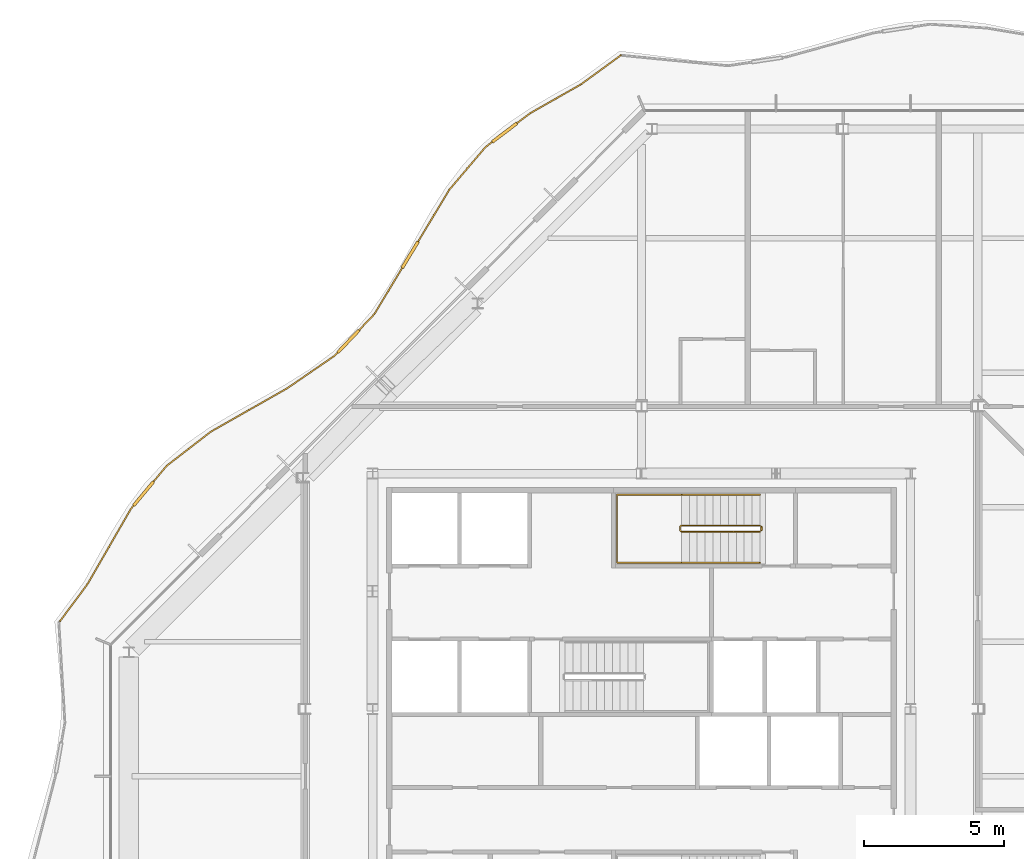
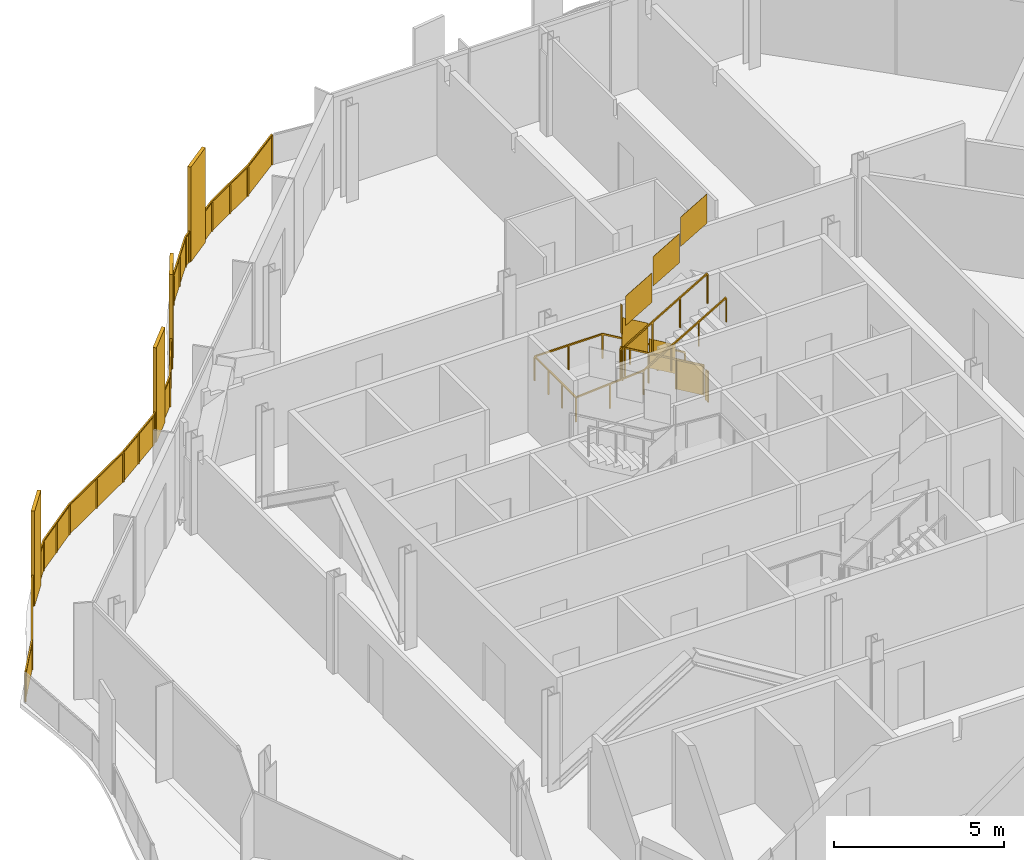
# One storey, part 15 of 16: 4 railings.
"""IFC4 building model written with IfcOpenShell, lengths in metres."""

from ifc_helpers import new_model, si_unit, direction, frame, origin, origin_2d, place, context, subcontext, project, spatial, polyline, rectangle, outline, extrude, material, type_object, element, save


model = new_model("IFC4")

# Units and contexts
model_context = context("Model", 3, precision=1e-05, world=origin(), true_north=direction((0.0, 1.0)))
body_context = subcontext(model_context, "Body", "Model", "MODEL_VIEW")
ifc_project = project(units=[si_unit("LENGTHUNIT", "METRE"), si_unit("AREAUNIT", "SQUARE_METRE"), si_unit("VOLUMEUNIT", "CUBIC_METRE"), si_unit("PLANEANGLEUNIT", "RADIAN"), si_unit("MASSUNIT", "GRAM", prefix="KILO")], contexts=[model_context])

# Site, building, storey
site_placement = place(None, origin())
site = spatial("IfcSite", under=ifc_project, at=site_placement, CompositionType="ELEMENT")
building_placement = place(site_placement, origin())
building = spatial("IfcBuilding", under=site, at=building_placement, Name="Cairn Pilgrim Tower", CompositionType="ELEMENT")
storey_placement = place(building_placement, frame((0.0, 0.0, 285.0)))
storey = spatial("IfcBuildingStorey", under=building, at=storey_placement, Name="L73", CompositionType="ELEMENT", Elevation=285.0)

# Railings
ifc_material_1 = material(Name="Bronze anodised aluminium rail, posts and fin screens with laminated glass infill", Category="aluminium")
railing_type_1 = type_object("IfcRailingType", Name="BALCONY GUARD WITH FIN SCREENS", PredefinedType="GUARDRAIL", material=ifc_material_1)
railing_1_placement = place(storey_placement, frame((6.46142578125, 25.730224609375, 0.0)))
element("IfcRailing", 1, at=railing_1_placement, inside=storey, type_object=railing_type_1, Name="Balcony guard BGF-6 with fin screens", PredefinedType="GUARDRAIL", context=body_context, shape_type="SweptSolid", body=[
    extrude(rectangle(XDim=0.050048828125, YDim=0.050048828125, at=origin_2d()), frame((0.0, 0.0, 1.0751953125), z_axis=(-0.808099705315, -0.58904572511, 0.0), x_axis=(0.58904572511, -0.808099705315, 0.0)), (0.0, 0.0, 1.0), 1.759765625),
    extrude(rectangle(XDim=0.050048828125, YDim=0.050048828125, at=origin_2d()), frame((-1.422119140625, -1.03662109375, 1.0751953125), z_axis=(-0.869573128671, -0.49380418578, 0.0), x_axis=(0.49380418578, -0.869573128671, 0.0)), (0.0, 0.0, 1.0), 2.0849609375),
    extrude(rectangle(XDim=1.10009765625, YDim=0.110107421875, at=origin_2d()), frame((-4.150390625, -2.76025390625, 0.0), z_axis=(0.0, 0.0, 1.0), x_axis=(-0.796786351121, -0.60426112788, 0.0)), (0.0, 0.0, 1.0), 3.39990234375),
    extrude(rectangle(XDim=0.050048828125, YDim=0.050048828125, at=origin_2d()), frame((-3.235107421875, -2.066162109375, 1.0751953125), z_axis=(-0.796786351121, -0.60426112788, 0.0), x_axis=(0.60426112788, -0.796786351121, 0.0)), (0.0, 0.0, 1.0), 0.5986328125),
    extrude(rectangle(XDim=0.050048828125, YDim=0.050048828125, at=origin_2d()), frame((-4.588623046875, -3.092529296875, 1.0751953125), z_axis=(-0.796786351121, -0.60426112788, 0.0), x_axis=(0.60426112788, -0.796786351121, 0.0)), (0.0, 0.0, 1.0), 0.304931640625),
    extrude(rectangle(XDim=0.050048828125, YDim=0.050048828125, at=origin_2d()), frame((-4.83154296875, -3.27685546875, 1.0751953125), z_axis=(-0.646882321654, -0.762589838597, 0.0), x_axis=(0.762589838597, -0.646882321654, 0.0)), (0.0, 0.0, 1.0), 1.98974609375),
    extrude(rectangle(XDim=1.10009765625, YDim=0.110107421875, at=origin_2d()), frame((-7.520263671875, -7.11865234375, 0.0), z_axis=(0.0, 0.0, 1.0), x_axis=(-0.516343540412, -0.856381543633, 0.0)), (0.0, 0.0, 1.0), 3.39990234375),
    extrude(rectangle(XDim=0.050048828125, YDim=0.050048828125, at=origin_2d()), frame((-6.11865234375, -4.794189453125, 1.0751953125), z_axis=(-0.516343540412, -0.856381543633, 0.0), x_axis=(0.856381543633, -0.516343540412, 0.0)), (0.0, 0.0, 1.0), 2.164306640625),
    extrude(rectangle(XDim=0.050048828125, YDim=0.050048828125, at=origin_2d()), frame((-7.80419921875, -7.589599609375, 1.0751953125), z_axis=(-0.516343540412, -0.856381543633, 0.0), x_axis=(0.856381543633, -0.516343540412, 0.0)), (0.0, 0.0, 1.0), 1.920166015625),
    extrude(rectangle(XDim=1.10009765625, YDim=0.110107421875, at=origin_2d()), frame((-9.72216796875, -10.207763671875, 0.0), z_axis=(0.0, 0.0, 1.0), x_axis=(-0.689392677277, -0.724387835704, 0.0)), (0.0, 0.0, 1.0), 3.39990234375),
    extrude(rectangle(XDim=0.050048828125, YDim=0.050048828125, at=origin_2d()), frame((-8.795654296875, -9.234130859375, 1.0751953125), z_axis=(-0.689392677277, -0.724387835704, 0.0), x_axis=(0.724387835704, -0.689392677277, 0.0)), (0.0, 0.0, 1.0), 0.7939453125),
    extrude(rectangle(XDim=0.050048828125, YDim=0.050048828125, at=origin_2d()), frame((-10.101318359375, -10.606201171875, 1.0751953125), z_axis=(-0.689392677277, -0.724387835704, 0.0), x_axis=(0.724387835704, -0.689392677277, 0.0)), (0.0, 0.0, 1.0), 0.150146484375),
    extrude(rectangle(XDim=0.050048828125, YDim=0.050048828125, at=origin_2d()), frame((-10.204833984375, -10.71484375, 1.0751953125), z_axis=(-0.824231350321, -0.566253195265, 0.0), x_axis=(0.566253195265, -0.824231350321, 0.0)), (0.0, 0.0, 1.0), 2.06787109375),
    extrude(rectangle(XDim=0.050048828125, YDim=0.050048828125, at=origin_2d()), frame((-11.9091796875, -11.8857421875, 1.0751953125), z_axis=(-0.869571687654, -0.493806723355, 0.0), x_axis=(0.493806723355, -0.869571687654, 0.0)), (0.0, 0.0, 1.0), 3.125244140625),
    extrude(rectangle(XDim=0.050048828125, YDim=0.050048828125, at=origin_2d()), frame((-14.626708984375, -13.428955078125, 1.0751953125), z_axis=(-0.791352088392, -0.61136067276, 0.0), x_axis=(0.61136067276, -0.791352088392, 0.0)), (0.0, 0.0, 1.0), 2.000732421875),
    extrude(rectangle(XDim=1.10009765625, YDim=0.110107421875, at=origin_2d()), frame((-17.03515625, -15.644287109375, 0.0), z_axis=(0.0, 0.0, 1.0), x_axis=(-0.639508559675, -0.768783976226, 0.0)), (0.0, 0.0, 1.0), 3.39990234375),
    extrude(rectangle(XDim=0.050048828125, YDim=0.050048828125, at=origin_2d()), frame((-16.2099609375, -14.652099609375, 1.0751953125), z_axis=(-0.639508559675, -0.768783976226, 0.0), x_axis=(0.768783976226, -0.639508559675, 0.0)), (0.0, 0.0, 1.0), 0.740478515625),
    extrude(rectangle(XDim=0.050048828125, YDim=0.050048828125, at=origin_2d()), frame((-17.386962890625, -16.067138671875, 1.0751953125), z_axis=(-0.639508559675, -0.768783976226, 0.0), x_axis=(0.768783976226, -0.639508559675, 0.0)), (0.0, 0.0, 1.0), 0.14990234375),
    extrude(rectangle(XDim=0.050048828125, YDim=0.050048828125, at=origin_2d()), frame((-17.48291015625, -16.182373046875, 1.0751953125), z_axis=(-0.499573407436, -0.866271557067, 0.0), x_axis=(0.866271557067, -0.499573407436, 0.0)), (0.0, 0.0, 1.0), 3.119873046875),
    extrude(rectangle(XDim=0.050048828125, YDim=0.050048828125, at=origin_2d()), frame((-19.04150390625, -18.885009765625, 1.0751953125), z_axis=(-0.597095284187, -0.802170319572, 0.0), x_axis=(0.802170319572, -0.597095284187, 0.0)), (0.0, 0.0, 1.0), 1.642822265625),
    extrude(rectangle(XDim=0.050048828125, YDim=0.050048828125, at=origin_2d()), origin(), (0.0, 0.0, 1.0), 1.050048828125),
    extrude(rectangle(XDim=0.050048828125, YDim=0.050048828125, at=origin_2d()), frame((-1.422119140625, -1.03662109375, 0.0)), (0.0, 0.0, 1.0), 1.050048828125),
    extrude(rectangle(XDim=0.050048828125, YDim=0.050048828125, at=origin_2d()), frame((-2.32861328125, -1.55126953125, 0.0)), (0.0, 0.0, 1.0), 1.050048828125),
    extrude(rectangle(XDim=0.050048828125, YDim=0.050048828125, at=origin_2d()), frame((-3.235107421875, -2.066162109375, 0.0)), (0.0, 0.0, 1.0), 1.050048828125),
    extrude(rectangle(XDim=0.050048828125, YDim=0.050048828125, at=origin_2d()), frame((-3.692138671875, -2.412841796875, 0.0)), (0.0, 0.0, 1.0), 1.050048828125),
    extrude(rectangle(XDim=0.050048828125, YDim=0.050048828125, at=origin_2d()), frame((-4.6083984375, -3.107666015625, 0.0)), (0.0, 0.0, 1.0), 1.050048828125),
    extrude(rectangle(XDim=0.050048828125, YDim=0.050048828125, at=origin_2d()), frame((-4.83154296875, -3.27685546875, 0.0)), (0.0, 0.0, 1.0), 1.050048828125),
    extrude(rectangle(XDim=0.050048828125, YDim=0.050048828125, at=origin_2d()), frame((-5.47509765625, -4.03564453125, 0.0)), (0.0, 0.0, 1.0), 1.050048828125),
    extrude(rectangle(XDim=0.050048828125, YDim=0.050048828125, at=origin_2d()), frame((-6.11865234375, -4.794189453125, 0.0)), (0.0, 0.0, 1.0), 1.050048828125),
    extrude(rectangle(XDim=0.050048828125, YDim=0.050048828125, at=origin_2d()), frame((-6.6708984375, -5.710205078125, 0.0)), (0.0, 0.0, 1.0), 1.050048828125),
    extrude(rectangle(XDim=0.050048828125, YDim=0.050048828125, at=origin_2d()), frame((-7.223388671875, -6.626220703125, 0.0)), (0.0, 0.0, 1.0), 1.050048828125),
    extrude(rectangle(XDim=0.050048828125, YDim=0.050048828125, at=origin_2d()), frame((-7.817138671875, -7.611083984375, 0.0)), (0.0, 0.0, 1.0), 1.050048828125),
    extrude(rectangle(XDim=0.050048828125, YDim=0.050048828125, at=origin_2d()), frame((-8.306396484375, -8.422607421875, 0.0)), (0.0, 0.0, 1.0), 1.050048828125),
    extrude(rectangle(XDim=0.050048828125, YDim=0.050048828125, at=origin_2d()), frame((-8.795654296875, -9.234130859375, 0.0)), (0.0, 0.0, 1.0), 1.050048828125),
    extrude(rectangle(XDim=0.050048828125, YDim=0.050048828125, at=origin_2d()), frame((-9.32568359375, -9.791259765625, 0.0)), (0.0, 0.0, 1.0), 1.050048828125),
    extrude(rectangle(XDim=0.050048828125, YDim=0.050048828125, at=origin_2d()), frame((-10.11865234375, -10.624267578125, 0.0)), (0.0, 0.0, 1.0), 1.050048828125),
    extrude(rectangle(XDim=0.050048828125, YDim=0.050048828125, at=origin_2d()), frame((-10.204833984375, -10.71484375, 0.0)), (0.0, 0.0, 1.0), 1.050048828125),
    extrude(rectangle(XDim=0.050048828125, YDim=0.050048828125, at=origin_2d()), frame((-11.05712890625, -11.30029296875, 0.0)), (0.0, 0.0, 1.0), 1.050048828125),
    extrude(rectangle(XDim=0.050048828125, YDim=0.050048828125, at=origin_2d()), frame((-11.9091796875, -11.8857421875, 0.0)), (0.0, 0.0, 1.0), 1.050048828125),
    extrude(rectangle(XDim=0.050048828125, YDim=0.050048828125, at=origin_2d()), frame((-13.26806640625, -12.6572265625, 0.0)), (0.0, 0.0, 1.0), 1.050048828125),
    extrude(rectangle(XDim=0.050048828125, YDim=0.050048828125, at=origin_2d()), frame((-14.626708984375, -13.428955078125, 0.0)), (0.0, 0.0, 1.0), 1.050048828125),
    extrude(rectangle(XDim=0.050048828125, YDim=0.050048828125, at=origin_2d()), frame((-15.41845703125, -14.04052734375, 0.0)), (0.0, 0.0, 1.0), 1.050048828125),
    extrude(rectangle(XDim=0.050048828125, YDim=0.050048828125, at=origin_2d()), frame((-16.2099609375, -14.652099609375, 0.0)), (0.0, 0.0, 1.0), 1.050048828125),
    extrude(rectangle(XDim=0.050048828125, YDim=0.050048828125, at=origin_2d()), frame((-16.66748046875, -15.2021484375, 0.0)), (0.0, 0.0, 1.0), 1.050048828125),
    extrude(rectangle(XDim=0.050048828125, YDim=0.050048828125, at=origin_2d()), frame((-17.403076171875, -16.086181640625, 0.0)), (0.0, 0.0, 1.0), 1.050048828125),
    extrude(rectangle(XDim=0.050048828125, YDim=0.050048828125, at=origin_2d()), frame((-17.48291015625, -16.182373046875, 0.0)), (0.0, 0.0, 1.0), 1.050048828125),
    extrude(rectangle(XDim=0.050048828125, YDim=0.050048828125, at=origin_2d()), frame((-18.26220703125, -17.53369140625, 0.0)), (0.0, 0.0, 1.0), 1.050048828125),
    extrude(rectangle(XDim=0.050048828125, YDim=0.050048828125, at=origin_2d()), frame((-19.04150390625, -18.885009765625, 0.0)), (0.0, 0.0, 1.0), 1.050048828125),
    extrude(rectangle(XDim=0.050048828125, YDim=0.050048828125, at=origin_2d()), frame((-20.0224609375, -20.202880859375, 0.0)), (0.0, 0.0, 1.0), 1.050048828125),
    extrude(outline(polyline([(0.02490234375, 0.0), (1.73486328125, 0.0), (1.73486328125, 1.050048828125), (0.02490234375, 1.050048828125), (0.02490234375, 0.0)])), frame((0.00341796875, -0.0048828125, 0.0), z_axis=(-0.58904572511, 0.808099705315, 0.0), x_axis=(-0.808099705315, -0.58904572511, 0.0)), (0.0, 0.0, 1.0), 0.011962890625),
    extrude(outline(polyline([(0.02490234375, 0.0), (1.017333984375, 0.0), (1.017333984375, 1.050048828125), (0.02490234375, 1.050048828125), (0.02490234375, 0.0)])), frame((-1.419189453125, -1.041748046875, 0.0), z_axis=(-0.49380418578, 0.869573128671, 0.0), x_axis=(-0.869573128671, -0.49380418578, 0.0)), (0.0, 0.0, 1.0), 0.011962890625),
    extrude(outline(polyline([(0.02490234375, 0.0), (1.017333984375, 0.0), (1.017333984375, 1.050048828125), (0.02490234375, 1.050048828125), (0.02490234375, 0.0)])), frame((-2.32568359375, -1.556640625, 0.0), z_axis=(-0.49380418578, 0.869573128671, 0.0), x_axis=(-0.869573128671, -0.49380418578, 0.0)), (0.0, 0.0, 1.0), 0.011962890625),
    extrude(outline(polyline([(0.02490234375, 0.0), (0.548583984375, 0.0), (0.548583984375, 1.050048828125), (0.02490234375, 1.050048828125), (0.02490234375, 0.0)])), frame((-3.2314453125, -2.071044921875, 0.0), z_axis=(-0.60426112788, 0.796786351121, 0.0), x_axis=(-0.796786351121, -0.60426112788, 0.0)), (0.0, 0.0, 1.0), 0.011962890625),
    extrude(outline(polyline([(0.02490234375, 0.0), (0.2548828125, 0.0), (0.2548828125, 1.050048828125), (0.02490234375, 1.050048828125), (0.02490234375, 0.0)])), frame((-4.60498046875, -3.112548828125, 0.0), z_axis=(-0.60426112788, 0.796786351121, 0.0), x_axis=(-0.796786351121, -0.60426112788, 0.0)), (0.0, 0.0, 1.0), 0.011962890625),
    extrude(outline(polyline([(0.02490234375, 0.0), (0.9697265625, 0.0), (0.9697265625, 1.050048828125), (0.02490234375, 1.050048828125), (0.02490234375, 0.0)])), frame((-4.826904296875, -3.28076171875, 0.0), z_axis=(-0.762589838597, 0.646882321654, 0.0), x_axis=(-0.646882321654, -0.762589838597, 0.0)), (0.0, 0.0, 1.0), 0.011962890625),
    extrude(outline(polyline([(0.02490234375, 0.0), (0.9697265625, 0.0), (0.9697265625, 1.050048828125), (0.02490234375, 1.050048828125), (0.02490234375, 0.0)])), frame((-5.470458984375, -4.039306640625, 0.0), z_axis=(-0.762589838597, 0.646882321654, 0.0), x_axis=(-0.646882321654, -0.762589838597, 0.0)), (0.0, 0.0, 1.0), 0.011962890625),
    extrude(outline(polyline([(0.02490234375, 0.0), (1.044677734375, 0.0), (1.044677734375, 1.050048828125), (0.02490234375, 1.050048828125), (0.02490234375, 0.0)])), frame((-6.113525390625, -4.79736328125, 0.0), z_axis=(-0.856381543633, 0.516343540412, 0.0), x_axis=(-0.516343540412, -0.856381543633, 0.0)), (0.0, 0.0, 1.0), 0.011962890625),
    extrude(outline(polyline([(0.02490234375, 0.0), (1.044677734375, 0.0), (1.044677734375, 1.050048828125), (0.02490234375, 1.050048828125), (0.02490234375, 0.0)])), frame((-6.665771484375, -5.71337890625, 0.0), z_axis=(-0.856381543633, 0.516343540412, 0.0), x_axis=(-0.516343540412, -0.856381543633, 0.0)), (0.0, 0.0, 1.0), 0.011962890625),
    extrude(outline(polyline([(0.02490234375, 0.0), (0.922607421875, 0.0), (0.922607421875, 1.050048828125), (0.02490234375, 1.050048828125), (0.02490234375, 0.0)])), frame((-7.81201171875, -7.6142578125, 0.0), z_axis=(-0.856381543633, 0.516343540412, 0.0), x_axis=(-0.516343540412, -0.856381543633, 0.0)), (0.0, 0.0, 1.0), 0.011962890625),
    extrude(outline(polyline([(0.02490234375, 0.0), (0.922607421875, 0.0), (0.922607421875, 1.050048828125), (0.02490234375, 1.050048828125), (0.02490234375, 0.0)])), frame((-8.30126953125, -8.42578125, 0.0), z_axis=(-0.856381543633, 0.516343540412, 0.0), x_axis=(-0.516343540412, -0.856381543633, 0.0)), (0.0, 0.0, 1.0), 0.011962890625),
    extrude(outline(polyline([(0.02490234375, 0.0), (0.743896484375, 0.0), (0.743896484375, 1.050048828125), (0.02490234375, 1.050048828125), (0.02490234375, 0.0)])), frame((-8.791259765625, -9.23828125, 0.0), z_axis=(-0.724387835704, 0.689392677277, 0.0), x_axis=(-0.689392677277, -0.724387835704, 0.0)), (0.0, 0.0, 1.0), 0.011962890625),
    extrude(outline(polyline([(0.02490234375, 0.0), (0.10009765625, 0.0), (0.10009765625, 1.050048828125), (0.02490234375, 1.050048828125), (0.02490234375, 0.0)])), frame((-10.1142578125, -10.62841796875, 0.0), z_axis=(-0.724387835704, 0.689392677277, 0.0), x_axis=(-0.689392677277, -0.724387835704, 0.0)), (0.0, 0.0, 1.0), 0.011962890625),
    extrude(outline(polyline([(0.02490234375, 0.0), (1.0087890625, 0.0), (1.0087890625, 1.050048828125), (0.02490234375, 1.050048828125), (0.02490234375, 0.0)])), frame((-10.201416015625, -10.7197265625, 0.0), z_axis=(-0.566253195265, 0.824231350321, 0.0), x_axis=(-0.824231350321, -0.566253195265, 0.0)), (0.0, 0.0, 1.0), 0.011962890625),
    extrude(outline(polyline([(0.02490234375, 0.0), (1.0087890625, 0.0), (1.0087890625, 1.050048828125), (0.02490234375, 1.050048828125), (0.02490234375, 0.0)])), frame((-11.0537109375, -11.30517578125, 0.0), z_axis=(-0.566253195265, 0.824231350321, 0.0), x_axis=(-0.824231350321, -0.566253195265, 0.0)), (0.0, 0.0, 1.0), 0.011962890625),
    extrude(outline(polyline([(0.02490234375, 0.0), (1.53759765625, 0.0), (1.53759765625, 1.050048828125), (0.02490234375, 1.050048828125), (0.02490234375, 0.0)])), frame((-11.90625, -11.890869140625, 0.0), z_axis=(-0.493806723355, 0.869571687654, 0.0), x_axis=(-0.869571687654, -0.493806723355, 0.0)), (0.0, 0.0, 1.0), 0.011962890625),
    extrude(outline(polyline([(0.02490234375, 0.0), (1.53759765625, 0.0), (1.53759765625, 1.050048828125), (0.02490234375, 1.050048828125), (0.02490234375, 0.0)])), frame((-13.264892578125, -12.66259765625, 0.0), z_axis=(-0.493806723355, 0.869571687654, 0.0), x_axis=(-0.869571687654, -0.493806723355, 0.0)), (0.0, 0.0, 1.0), 0.011962890625),
    extrude(outline(polyline([(0.02490234375, 0.0), (0.975341796875, 0.0), (0.975341796875, 1.050048828125), (0.02490234375, 1.050048828125), (0.02490234375, 0.0)])), frame((-14.623046875, -13.43359375, 0.0), z_axis=(-0.61136067276, 0.791352088392, 0.0), x_axis=(-0.791352088392, -0.61136067276, 0.0)), (0.0, 0.0, 1.0), 0.011962890625),
    extrude(outline(polyline([(0.02490234375, 0.0), (0.975341796875, 0.0), (0.975341796875, 1.050048828125), (0.02490234375, 1.050048828125), (0.02490234375, 0.0)])), frame((-15.414794921875, -14.045166015625, 0.0), z_axis=(-0.61136067276, 0.791352088392, 0.0), x_axis=(-0.791352088392, -0.61136067276, 0.0)), (0.0, 0.0, 1.0), 0.011962890625),
    extrude(outline(polyline([(0.02490234375, 0.0), (0.6904296875, 0.0), (0.6904296875, 1.050048828125), (0.02490234375, 1.050048828125), (0.02490234375, 0.0)])), frame((-16.205322265625, -14.656005859375, 0.0), z_axis=(-0.768783976226, 0.639508559675, 0.0), x_axis=(-0.639508559675, -0.768783976226, 0.0)), (0.0, 0.0, 1.0), 0.011962890625),
    extrude(outline(polyline([(0.02490234375, 0.0), (0.099853515625, 0.0), (0.099853515625, 1.050048828125), (0.02490234375, 1.050048828125), (0.02490234375, 0.0)])), frame((-17.3984375, -16.090087890625, 0.0), z_axis=(-0.768783976226, 0.639508559675, 0.0), x_axis=(-0.639508559675, -0.768783976226, 0.0)), (0.0, 0.0, 1.0), 0.011962890625),
    extrude(outline(polyline([(0.02490234375, 0.0), (1.534912109375, 0.0), (1.534912109375, 1.050048828125), (0.02490234375, 1.050048828125), (0.02490234375, 0.0)])), frame((-17.477783203125, -16.185302734375, 0.0), z_axis=(-0.866271557067, 0.499573407436, 0.0), x_axis=(-0.499573407436, -0.866271557067, 0.0)), (0.0, 0.0, 1.0), 0.011962890625),
    extrude(outline(polyline([(0.02490234375, 0.0), (1.534912109375, 0.0), (1.534912109375, 1.050048828125), (0.02490234375, 1.050048828125), (0.02490234375, 0.0)])), frame((-18.257080078125, -17.53662109375, 0.0), z_axis=(-0.866271557067, 0.499573407436, 0.0), x_axis=(-0.499573407436, -0.866271557067, 0.0)), (0.0, 0.0, 1.0), 0.011962890625),
    extrude(outline(polyline([(0.02490234375, 0.0), (1.617919921875, 0.0), (1.617919921875, 1.050048828125), (0.02490234375, 1.050048828125), (0.02490234375, 0.0)])), frame((-19.03662109375, -18.888671875, 0.0), z_axis=(-0.802170319572, 0.597095284187, 0.0), x_axis=(-0.597095284187, -0.802170319572, 0.0)), (0.0, 0.0, 1.0), 0.011962890625),
])
ifc_material_2 = material(Name="Painted steel", Category="steel")
railing_type_2 = type_object("IfcRailingType", Name="STAIR GUARD 1100", PredefinedType="GUARDRAIL", material=ifc_material_2)
railing_2_placement = place(storey_placement, frame((11.425048828125, 8.949951171875, 0.16357421875)))
element("IfcRailing", 2, at=railing_2_placement, inside=storey, type_object=railing_type_2, Name="L73 ST-C stair guard 1", PredefinedType="GUARDRAIL", context=body_context, shape_type="SweptSolid", body=[
    extrude(rectangle(XDim=0.048095703125, YDim=0.048095703125, at=origin_2d()), frame((0.0, 0.0, 1.076171875), z_axis=(-0.863360870873, 0.0, 0.504586966384), x_axis=(0.0, -1.0, 0.0)), (0.0, 0.0, 1.0), 3.2431640625),
    extrude(rectangle(XDim=0.048095703125, YDim=0.048095703125, at=origin_2d()), frame((-2.800048828125, 0.0, 2.71240234375), z_axis=(-0.707106781187, -0.707106781187, 0.0), x_axis=(0.707106781187, -0.707106781187, 0.0)), (0.0, 0.0, 1.0), 0.07080078125),
    extrude(rectangle(XDim=0.048095703125, YDim=0.048095703125, at=origin_2d()), frame((-2.85009765625, -0.050048828125, 2.71240234375), z_axis=(0.0, -1.0, 0.0), x_axis=(1.0, 0.0, 0.0)), (0.0, 0.0, 1.0), 0.125),
    extrude(rectangle(XDim=0.048095703125, YDim=0.048095703125, at=origin_2d()), frame((-2.85009765625, -0.175048828125, 2.71240234375), z_axis=(0.280916556609, -0.279546231943, 0.91811752648), x_axis=(0.705375805398, 0.708833529934, 0.0)), (0.0, 0.0, 1.0), 0.17822265625),
    extrude(rectangle(XDim=0.048095703125, YDim=0.048095703125, at=origin_2d()), frame((-2.800048828125, -0.224853515625, 2.8759765625), z_axis=(0.863360870873, 0.0, 0.504586966384), x_axis=(0.0, 1.0, 0.0)), (0.0, 0.0, 1.0), 3.2431640625),
    extrude(rectangle(XDim=0.0419921875, YDim=0.0419921875, at=origin_2d()), origin(), (0.0, 0.0, 1.0), 1.052001953125),
    extrude(rectangle(XDim=0.0419921875, YDim=0.0419921875, at=origin_2d()), frame((-0.933349609375, 0.0, 0.54541015625)), (0.0, 0.0, 1.0), 1.052001953125),
    extrude(rectangle(XDim=0.0419921875, YDim=0.0419921875, at=origin_2d()), frame((-1.86669921875, 0.0, 1.091064453125)), (0.0, 0.0, 1.0), 1.052001953125),
    extrude(rectangle(XDim=0.0419921875, YDim=0.0419921875, at=origin_2d()), frame((-2.800048828125, 0.0, 1.636474609375)), (0.0, 0.0, 1.0), 1.052001953125),
    extrude(rectangle(XDim=0.0419921875, YDim=0.0419921875, at=origin_2d()), frame((-2.85009765625, -0.050048828125, 1.636474609375)), (0.0, 0.0, 1.0), 1.052001953125),
    extrude(rectangle(XDim=0.0419921875, YDim=0.0419921875, at=origin_2d()), frame((-2.85009765625, -0.175048828125, 1.636474609375)), (0.0, 0.0, 1.0), 1.052001953125),
    extrude(rectangle(XDim=0.0419921875, YDim=0.0419921875, at=origin_2d()), frame((-2.800048828125, -0.224853515625, 1.800048828125)), (0.0, 0.0, 1.0), 1.052001953125),
    extrude(rectangle(XDim=0.0419921875, YDim=0.0419921875, at=origin_2d()), frame((-1.86669921875, -0.224853515625, 2.345458984375)), (0.0, 0.0, 1.0), 1.052001953125),
    extrude(rectangle(XDim=0.0419921875, YDim=0.0419921875, at=origin_2d()), frame((-0.933349609375, -0.224853515625, 2.89111328125)), (0.0, 0.0, 1.0), 1.052001953125),
    extrude(rectangle(XDim=0.0419921875, YDim=0.0419921875, at=origin_2d()), frame((0.0, -0.224853515625, 3.4365234375)), (0.0, 0.0, 1.0), 1.052001953125),
    extrude(outline(polyline([(0.02099609375, 0.01220703125), (0.912353515625, 0.533203125), (0.912353515625, 1.585205078125), (0.02099609375, 1.064208984375), (0.02099609375, 0.01220703125)])), frame((0.0, -0.005859375, 0.0), z_axis=(0.0, 1.0, 0.0), x_axis=(-1.0, 0.0, 0.0)), (0.0, 0.0, 1.0), 0.011962890625),
    extrude(outline(polyline([(0.02099609375, 0.557861328125), (0.912353515625, 1.07861328125), (0.912353515625, 2.130615234375), (0.02099609375, 1.60986328125), (0.02099609375, 0.557861328125)])), frame((-0.933349609375, -0.005859375, 0.54541015625), z_axis=(0.0, 1.0, 0.0), x_axis=(-1.0, 0.0, 0.0)), (0.0, 0.0, 1.0), 0.011962890625),
    extrude(outline(polyline([(0.02099609375, 1.103271484375), (0.912353515625, 1.624267578125), (0.912353515625, 2.67626953125), (0.02099609375, 2.1552734375), (0.02099609375, 1.103271484375)])), frame((-1.86669921875, -0.005859375, 1.091064453125), z_axis=(0.0, 1.0, 0.0), x_axis=(-1.0, 0.0, 0.0)), (0.0, 0.0, 1.0), 0.011962890625),
    extrude(outline(polyline([(0.02099609375, 1.636474609375), (0.10400390625, 1.636474609375), (0.10400390625, 2.6884765625), (0.02099609375, 2.6884765625), (0.02099609375, 1.636474609375)])), frame((-2.84423828125, -0.050048828125, 1.636474609375), z_axis=(-1.0, 0.0, 0.0), x_axis=(0.0, -1.0, 0.0)), (0.0, 0.0, 1.0), 0.011962890625),
    extrude(outline(polyline([(0.02099609375, 1.812255859375), (0.912353515625, 2.333251953125), (0.912353515625, 3.38525390625), (0.02099609375, 2.8642578125), (0.02099609375, 1.812255859375)])), frame((-2.800048828125, -0.21875, 1.800048828125), z_axis=(0.0, -1.0, 0.0), x_axis=(1.0, 0.0, 0.0)), (0.0, 0.0, 1.0), 0.011962890625),
    extrude(outline(polyline([(0.02099609375, 2.35791015625), (0.912353515625, 2.878662109375), (0.912353515625, 3.9306640625), (0.02099609375, 3.409912109375), (0.02099609375, 2.35791015625)])), frame((-1.86669921875, -0.21875, 2.345458984375), z_axis=(0.0, -1.0, 0.0), x_axis=(1.0, 0.0, 0.0)), (0.0, 0.0, 1.0), 0.011962890625),
    extrude(outline(polyline([(0.02099609375, 2.9033203125), (0.912353515625, 3.42431640625), (0.912353515625, 4.476318359375), (0.02099609375, 3.955322265625), (0.02099609375, 2.9033203125)])), frame((-0.933349609375, -0.21875, 2.89111328125), z_axis=(0.0, -1.0, 0.0), x_axis=(1.0, 0.0, 0.0)), (0.0, 0.0, 1.0), 0.011962890625),
])
railing_3_placement = place(storey_placement, frame((11.47509765625, 8.89990234375, 0.0)))
element("IfcRailing", 3, at=railing_3_placement, inside=storey, type_object=railing_type_2, Name="L73 ST-C stair guard 2", PredefinedType="GUARDRAIL", context=body_context, shape_type="SweptSolid", body=[
    extrude(rectangle(XDim=0.048095703125, YDim=0.048095703125, at=origin_2d()), frame((0.0, 0.0, 1.076171875), z_axis=(0.0, -1.0, 0.0), x_axis=(1.0, 0.0, 0.0)), (0.0, 0.0, 1.0), 0.125),
    extrude(rectangle(XDim=0.0419921875, YDim=0.0419921875, at=origin_2d()), origin(), (0.0, 0.0, 1.0), 1.052001953125),
    extrude(rectangle(XDim=0.0419921875, YDim=0.0419921875, at=origin_2d()), frame((0.0, -0.125, 0.0)), (0.0, 0.0, 1.0), 1.052001953125),
    extrude(outline(polyline([(0.02099609375, 0.0), (0.10400390625, 0.0), (0.10400390625, 1.052001953125), (0.02099609375, 1.052001953125), (0.02099609375, 0.0)])), frame((0.005859375, 0.0, 0.0), z_axis=(-1.0, 0.0, 0.0), x_axis=(0.0, -1.0, 0.0)), (0.0, 0.0, 1.0), 0.011962890625),
])
railing_type_3 = type_object("IfcRailingType", Name="STAIR HANDRAIL 900", PredefinedType="HANDRAIL", material=ifc_material_2)
railing_4_placement = place(storey_placement, frame((11.425048828125, 10.050048828125, 0.16357421875)))
element("IfcRailing", 4, at=railing_4_placement, inside=storey, type_object=railing_type_3, Name="L73 ST-C stair handrail 1", PredefinedType="HANDRAIL", context=body_context, shape_type="SweptSolid", body=[
    extrude(rectangle(XDim=0.048095703125, YDim=0.048095703125, at=origin_2d()), frame((0.0, 0.0, 0.8759765625), z_axis=(-0.863360870873, 0.0, 0.504586966384), x_axis=(0.0, -1.0, 0.0)), (0.0, 0.0, 1.0), 3.2431640625),
    extrude(rectangle(XDim=0.048095703125, YDim=0.048095703125, at=origin_2d()), frame((-2.800048828125, 0.0, 2.51220703125), z_axis=(-1.0, 0.0, 0.0), x_axis=(0.0, -1.0, 0.0)), (0.0, 0.0, 1.0), 2.300048828125),
    extrude(rectangle(XDim=0.048095703125, YDim=0.048095703125, at=origin_2d()), frame((-5.10009765625, 0.0, 2.51220703125), z_axis=(0.0, -1.0, 0.0), x_axis=(1.0, 0.0, 0.0)), (0.0, 0.0, 1.0), 2.425048828125),
    extrude(rectangle(XDim=0.048095703125, YDim=0.048095703125, at=origin_2d()), frame((-5.10009765625, -2.425048828125, 2.51220703125), z_axis=(0.997480687736, 0.0, 0.070938548008), x_axis=(0.0, 1.0, 0.0)), (0.0, 0.0, 1.0), 2.305908203125),
    extrude(rectangle(XDim=0.048095703125, YDim=0.048095703125, at=origin_2d()), frame((-2.800048828125, -2.425048828125, 2.67578125), z_axis=(0.863360870873, 0.0, 0.504586966384), x_axis=(0.0, 1.0, 0.0)), (0.0, 0.0, 1.0), 3.2431640625),
    extrude(rectangle(XDim=0.0419921875, YDim=0.0419921875, at=origin_2d()), origin(), (0.0, 0.0, 1.0), 0.851806640625),
    extrude(rectangle(XDim=0.0419921875, YDim=0.0419921875, at=origin_2d()), frame((-0.933349609375, 0.0, 0.54541015625)), (0.0, 0.0, 1.0), 0.851806640625),
    extrude(rectangle(XDim=0.0419921875, YDim=0.0419921875, at=origin_2d()), frame((-1.86669921875, 0.0, 1.091064453125)), (0.0, 0.0, 1.0), 0.851806640625),
    extrude(rectangle(XDim=0.0419921875, YDim=0.0419921875, at=origin_2d()), frame((-2.800048828125, 0.0, 1.636474609375)), (0.0, 0.0, 1.0), 0.851806640625),
    extrude(rectangle(XDim=0.0419921875, YDim=0.0419921875, at=origin_2d()), frame((-3.9501953125, 0.0, 1.636474609375)), (0.0, 0.0, 1.0), 0.851806640625),
    extrude(rectangle(XDim=0.0419921875, YDim=0.0419921875, at=origin_2d()), frame((-5.10009765625, 0.0, 1.636474609375)), (0.0, 0.0, 1.0), 0.851806640625),
    extrude(rectangle(XDim=0.0419921875, YDim=0.0419921875, at=origin_2d()), frame((-5.10009765625, -0.808349609375, 1.636474609375)), (0.0, 0.0, 1.0), 0.851806640625),
    extrude(rectangle(XDim=0.0419921875, YDim=0.0419921875, at=origin_2d()), frame((-5.10009765625, -1.61669921875, 1.636474609375)), (0.0, 0.0, 1.0), 0.851806640625),
    extrude(rectangle(XDim=0.0419921875, YDim=0.0419921875, at=origin_2d()), frame((-5.10009765625, -2.425048828125, 1.636474609375)), (0.0, 0.0, 1.0), 0.851806640625),
    extrude(rectangle(XDim=0.0419921875, YDim=0.0419921875, at=origin_2d()), frame((-3.9501953125, -2.425048828125, 1.71826171875)), (0.0, 0.0, 1.0), 0.851806640625),
    extrude(rectangle(XDim=0.0419921875, YDim=0.0419921875, at=origin_2d()), frame((-2.800048828125, -2.425048828125, 1.800048828125)), (0.0, 0.0, 1.0), 0.851806640625),
    extrude(rectangle(XDim=0.0419921875, YDim=0.0419921875, at=origin_2d()), frame((-1.86669921875, -2.425048828125, 2.345458984375)), (0.0, 0.0, 1.0), 0.851806640625),
    extrude(rectangle(XDim=0.0419921875, YDim=0.0419921875, at=origin_2d()), frame((-0.933349609375, -2.425048828125, 2.89111328125)), (0.0, 0.0, 1.0), 0.851806640625),
    extrude(rectangle(XDim=0.0419921875, YDim=0.0419921875, at=origin_2d()), frame((0.0, -2.425048828125, 3.4365234375)), (0.0, 0.0, 1.0), 0.851806640625),
])

save(model, "model.ifc")
